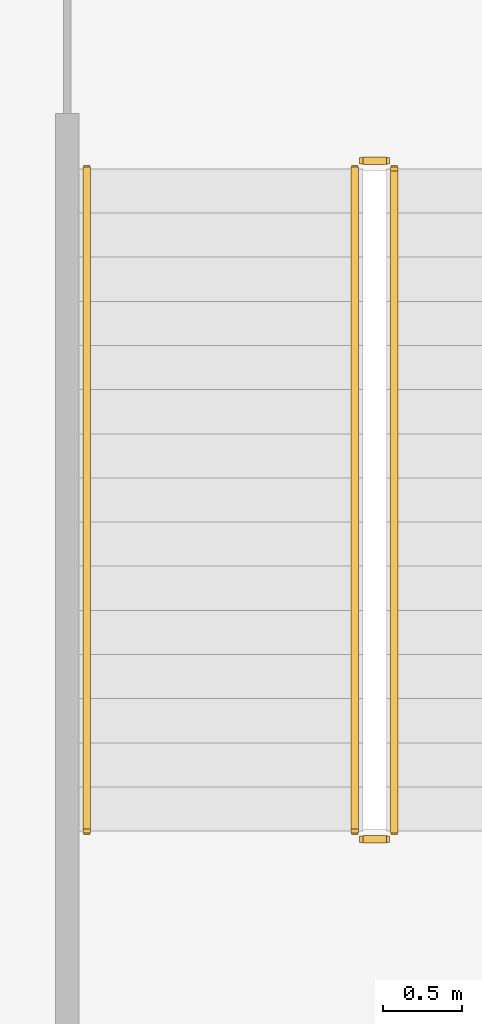
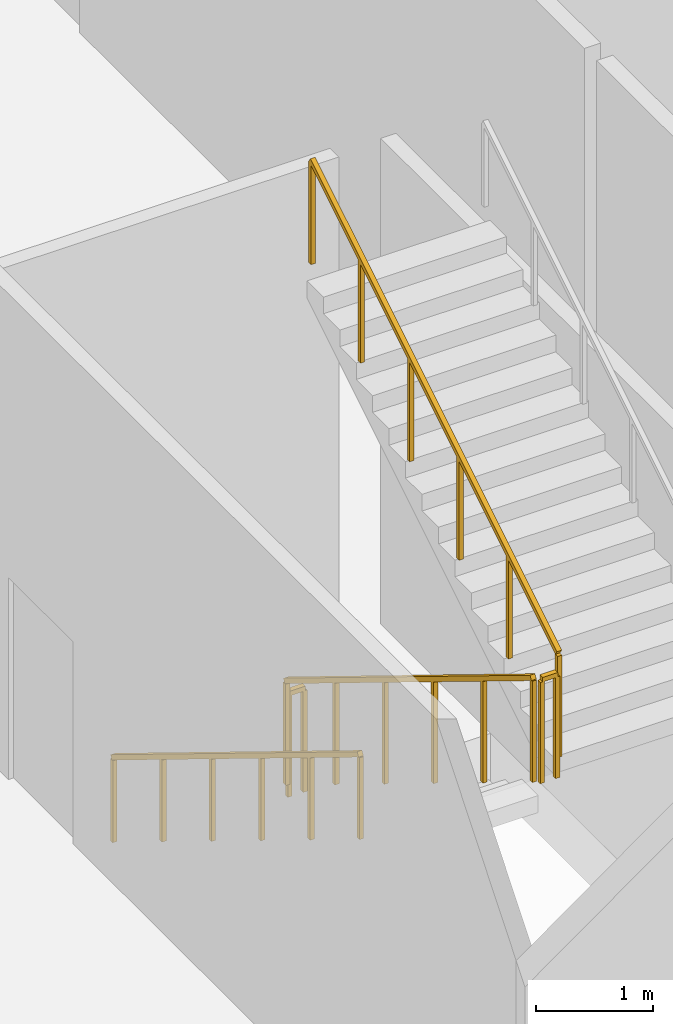
# One storey, part 24 of 26: 5 railings.
"""IFC4 building model written with IfcOpenShell, lengths in metres."""

from ifc_helpers import new_model, si_unit, direction, frame, origin, origin_with_axes, origin_2d, place, context, subcontext, project, spatial, rectangle, extrude, material, type_object, element, save


model = new_model("IFC4")

# Units and contexts
model_context = context("Model", 3, precision=1e-05, world=origin(), true_north=direction((0.0, 1.0)))
body_context = subcontext(model_context, "Body", "Model", "MODEL_VIEW")
ifc_project = project(units=[si_unit("LENGTHUNIT", "METRE"), si_unit("AREAUNIT", "SQUARE_METRE"), si_unit("VOLUMEUNIT", "CUBIC_METRE"), si_unit("PLANEANGLEUNIT", "RADIAN"), si_unit("MASSUNIT", "GRAM", prefix="KILO")], contexts=[model_context])

# Site, building, storey
site_placement = place(None, origin())
site = spatial("IfcSite", under=ifc_project, at=site_placement, CompositionType="ELEMENT")
building_placement = place(site_placement, origin())
building = spatial("IfcBuilding", under=site, at=building_placement, Name="Alderwake Tower", CompositionType="ELEMENT")
storey_placement = place(building_placement, frame((0.0, 0.0, 8.0)))
storey = spatial("IfcBuildingStorey", under=building, at=storey_placement, Name="L01", CompositionType="ELEMENT", Elevation=8.0)

# Railings
ifc_material_1 = material(Name="Stainless steel guard", Category="steel")
railing_type_1 = type_object("IfcRailingType", Name="Stair guard 1100", PredefinedType="GUARDRAIL", material=ifc_material_1)
railing_1_placement = place(storey_placement, frame((66.75, 93.199951171875, 0.171875)))
element("IfcRailing", 1, at=railing_1_placement, inside=storey, type_object=railing_type_1, Name="L01 ST-P3 stair guard 1", PredefinedType="GUARDRAIL", context=body_context, shape_type="SweptSolid", body=[
    extrude(rectangle(XDim=0.048095703125, YDim=0.048095703125, at=origin_2d()), frame((0.0, 0.0, 1.076171875), z_axis=(0.0, -0.852242915053, 0.523146264196), x_axis=(1.0, 0.0, 0.0)), (0.0, 0.0, 1.0), 4.92822265625),
    extrude(rectangle(XDim=0.0419921875, YDim=0.0419921875, at=origin_2d()), frame((0.0, 0.0, 0.0), z_axis=(0.0, 0.0, 1.0), x_axis=(0.0, -1.0, 0.0)), (0.0, 0.0, 1.0), 1.052001953125),
    extrude(rectangle(XDim=0.0419921875, YDim=0.0419921875, at=origin_2d()), frame((0.0, -0.840087890625, 0.515625), z_axis=(0.0, 0.0, 1.0), x_axis=(0.0, -1.0, 0.0)), (0.0, 0.0, 1.0), 1.052001953125),
    extrude(rectangle(XDim=0.0419921875, YDim=0.0419921875, at=origin_2d()), frame((0.0, -1.679931640625, 1.03125), z_axis=(0.0, 0.0, 1.0), x_axis=(0.0, -1.0, 0.0)), (0.0, 0.0, 1.0), 1.052001953125),
    extrude(rectangle(XDim=0.0419921875, YDim=0.0419921875, at=origin_2d()), frame((0.0, -2.52001953125, 1.546875), z_axis=(0.0, 0.0, 1.0), x_axis=(0.0, -1.0, 0.0)), (0.0, 0.0, 1.0), 1.052001953125),
    extrude(rectangle(XDim=0.0419921875, YDim=0.0419921875, at=origin_2d()), frame((0.0, -3.35986328125, 2.0625), z_axis=(0.0, 0.0, 1.0), x_axis=(0.0, -1.0, 0.0)), (0.0, 0.0, 1.0), 1.052001953125),
    extrude(rectangle(XDim=0.0419921875, YDim=0.0419921875, at=origin_2d()), frame((0.0, -4.199951171875, 2.578125), z_axis=(0.0, 0.0, 1.0), x_axis=(0.0, -1.0, 0.0)), (0.0, 0.0, 1.0), 1.052001953125),
])
railing_2_placement = place(storey_placement, frame((66.800048828125, 88.949951171875, 2.75)))
element("IfcRailing", 2, at=railing_2_placement, inside=storey, type_object=railing_type_1, Name="L01 ST-P3 stair guard 2", PredefinedType="GUARDRAIL", context=body_context, shape_type="SweptSolid", body=[
    extrude(rectangle(XDim=0.048095703125, YDim=0.048095703125, at=origin_2d()), frame((0.0, 0.0, 1.076171875), z_axis=(1.0, 0.0, 0.0), x_axis=(0.0, 1.0, 0.0)), (0.0, 0.0, 1.0), 0.14990234375),
    extrude(rectangle(XDim=0.0419921875, YDim=0.0419921875, at=origin_2d()), origin_with_axes(), (0.0, 0.0, 1.0), 1.052001953125),
    extrude(rectangle(XDim=0.0419921875, YDim=0.0419921875, at=origin_2d()), frame((0.14990234375, 0.0, 0.0), z_axis=(0.0, 0.0, 1.0), x_axis=(1.0, 0.0, 0.0)), (0.0, 0.0, 1.0), 1.052001953125),
])
railing_3_placement = place(storey_placement, frame((67.0, 89.0, 2.921875)))
element("IfcRailing", 3, at=railing_3_placement, inside=storey, type_object=railing_type_1, Name="L01 ST-P3 stair guard 3", PredefinedType="GUARDRAIL", context=body_context, shape_type="SweptSolid", body=[
    extrude(rectangle(XDim=0.048095703125, YDim=0.048095703125, at=origin_2d()), frame((0.0, 0.0, 1.076171875), z_axis=(0.0, 0.852242915053, 0.523146264196), x_axis=(-1.0, 0.0, 0.0)), (0.0, 0.0, 1.0), 4.92822265625),
    extrude(rectangle(XDim=0.0419921875, YDim=0.0419921875, at=origin_2d()), frame((0.0, 0.0, 0.0), z_axis=(0.0, 0.0, 1.0), x_axis=(0.0, 1.0, 0.0)), (0.0, 0.0, 1.0), 1.052001953125),
    extrude(rectangle(XDim=0.0419921875, YDim=0.0419921875, at=origin_2d()), frame((0.0, 0.840087890625, 0.515625), z_axis=(0.0, 0.0, 1.0), x_axis=(0.0, 1.0, 0.0)), (0.0, 0.0, 1.0), 1.052001953125),
    extrude(rectangle(XDim=0.0419921875, YDim=0.0419921875, at=origin_2d()), frame((0.0, 1.679931640625, 1.03125), z_axis=(0.0, 0.0, 1.0), x_axis=(0.0, 1.0, 0.0)), (0.0, 0.0, 1.0), 1.052001953125),
    extrude(rectangle(XDim=0.0419921875, YDim=0.0419921875, at=origin_2d()), frame((0.0, 2.52001953125, 1.546875), z_axis=(0.0, 0.0, 1.0), x_axis=(0.0, 1.0, 0.0)), (0.0, 0.0, 1.0), 1.052001953125),
    extrude(rectangle(XDim=0.0419921875, YDim=0.0419921875, at=origin_2d()), frame((0.0, 3.35986328125, 2.0625), z_axis=(0.0, 0.0, 1.0), x_axis=(0.0, 1.0, 0.0)), (0.0, 0.0, 1.0), 1.052001953125),
    extrude(rectangle(XDim=0.0419921875, YDim=0.0419921875, at=origin_2d()), frame((0.0, 4.199951171875, 2.578125), z_axis=(0.0, 0.0, 1.0), x_axis=(0.0, 1.0, 0.0)), (0.0, 0.0, 1.0), 1.052001953125),
])
railing_4_placement = place(storey_placement, frame((66.800048828125, 93.25, 0.0)))
element("IfcRailing", 4, at=railing_4_placement, inside=storey, type_object=railing_type_1, Name="L01 ST-P3 stair guard 4", PredefinedType="GUARDRAIL", context=body_context, shape_type="SweptSolid", body=[
    extrude(rectangle(XDim=0.048095703125, YDim=0.048095703125, at=origin_2d()), frame((0.0, 0.0, 1.076171875), z_axis=(1.0, 0.0, 0.0), x_axis=(0.0, 1.0, 0.0)), (0.0, 0.0, 1.0), 0.14990234375),
    extrude(rectangle(XDim=0.0419921875, YDim=0.0419921875, at=origin_2d()), origin_with_axes(), (0.0, 0.0, 1.0), 1.052001953125),
    extrude(rectangle(XDim=0.0419921875, YDim=0.0419921875, at=origin_2d()), frame((0.14990234375, 0.0, 0.0), z_axis=(0.0, 0.0, 1.0), x_axis=(1.0, 0.0, 0.0)), (0.0, 0.0, 1.0), 1.052001953125),
])
ifc_material_2 = material(Name="Stainless steel handrail", Category="steel")
railing_type_2 = type_object("IfcRailingType", Name="Stair handrail 900", PredefinedType="HANDRAIL", material=ifc_material_2)
railing_5_placement = place(storey_placement, frame((65.050048828125, 93.199951171875, 0.171875)))
element("IfcRailing", 5, at=railing_5_placement, inside=storey, type_object=railing_type_2, Name="L01 ST-P3 stair handrail 1", PredefinedType="HANDRAIL", context=body_context, shape_type="SweptSolid", body=[
    extrude(rectangle(XDim=0.048095703125, YDim=0.048095703125, at=origin_2d()), frame((0.0, 0.0, 0.8759765625), z_axis=(0.0, -0.852242915053, 0.523146264196), x_axis=(1.0, 0.0, 0.0)), (0.0, 0.0, 1.0), 4.92822265625),
    extrude(rectangle(XDim=0.0419921875, YDim=0.0419921875, at=origin_2d()), frame((0.0, 0.0, 0.0), z_axis=(0.0, 0.0, 1.0), x_axis=(0.0, -1.0, 0.0)), (0.0, 0.0, 1.0), 0.851806640625),
    extrude(rectangle(XDim=0.0419921875, YDim=0.0419921875, at=origin_2d()), frame((0.0, -0.840087890625, 0.515625), z_axis=(0.0, 0.0, 1.0), x_axis=(0.0, -1.0, 0.0)), (0.0, 0.0, 1.0), 0.851806640625),
    extrude(rectangle(XDim=0.0419921875, YDim=0.0419921875, at=origin_2d()), frame((0.0, -1.679931640625, 1.03125), z_axis=(0.0, 0.0, 1.0), x_axis=(0.0, -1.0, 0.0)), (0.0, 0.0, 1.0), 0.851806640625),
    extrude(rectangle(XDim=0.0419921875, YDim=0.0419921875, at=origin_2d()), frame((0.0, -2.52001953125, 1.546875), z_axis=(0.0, 0.0, 1.0), x_axis=(0.0, -1.0, 0.0)), (0.0, 0.0, 1.0), 0.851806640625),
    extrude(rectangle(XDim=0.0419921875, YDim=0.0419921875, at=origin_2d()), frame((0.0, -3.35986328125, 2.0625), z_axis=(0.0, 0.0, 1.0), x_axis=(0.0, -1.0, 0.0)), (0.0, 0.0, 1.0), 0.851806640625),
    extrude(rectangle(XDim=0.0419921875, YDim=0.0419921875, at=origin_2d()), frame((0.0, -4.199951171875, 2.578125), z_axis=(0.0, 0.0, 1.0), x_axis=(0.0, -1.0, 0.0)), (0.0, 0.0, 1.0), 0.851806640625),
])

save(model, "model.ifc")
